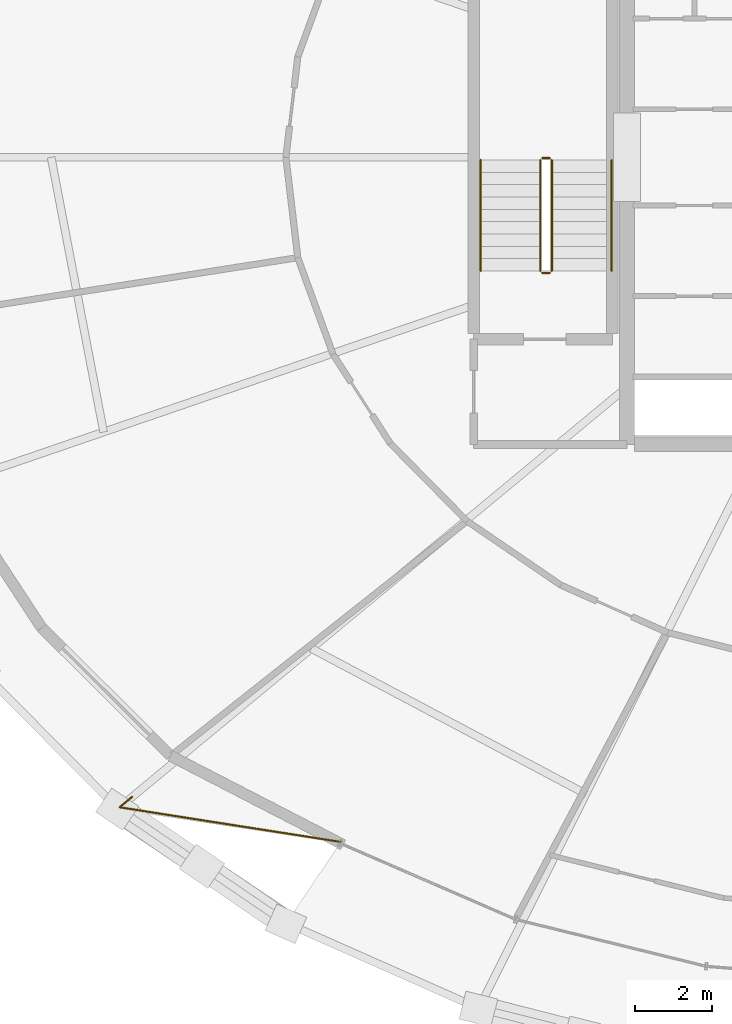
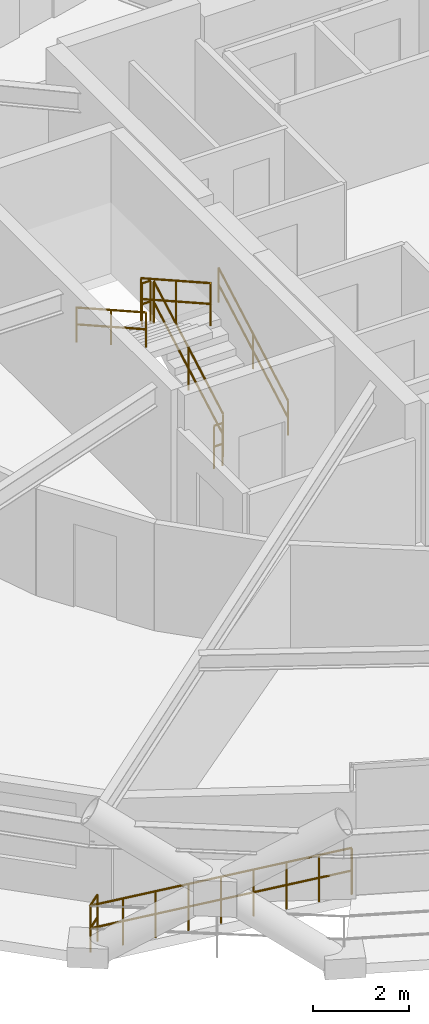
# One storey, part 21 of 23: 7 railings.
"""IFC4 building model written with IfcOpenShell, lengths in metres."""

import ifcopenshell
import ifcopenshell.guid

model = None  # the IFC model being written
_history = None  # IfcOwnerHistory: only IFC2X3 demands one
_inside = {}  # id of a spatial element -> (the spatial element, [elements in it])
_under = {}  # id of a project, library or spatial element -> (it, [spatial elements below it])
_declared = {}  # id of a project -> (the project, [libraries it declares])
_typed = {}  # id of a type object -> (the type object, [elements of that type])
_made_of = {}  # id of a material, layer set ... -> (it, [elements and type objects made of it])


def new_model(schema):
    """Start an empty IFC model of exactly this schema.

    Asked for "IFC4X3", IfcOpenShell would pick the latest addendum, in which some entities
    have other attributes; the version numbers below select the first issue.
    IFC2X3 requires an IfcOwnerHistory on every rooted entity: one is made here for all.
    """
    global model, _history
    if schema == "IFC4X3":
        model = ifcopenshell.file(schema_version=(4, 3, 0, 0))
    else:
        model = ifcopenshell.file(schema=schema)
    _inside.clear()
    _under.clear()
    _declared.clear()
    _typed.clear()
    _made_of.clear()
    _history = None
    if model.schema == "IFC2X3":
        org = make("IfcOrganization", Name="unknown")
        user = make(
            "IfcPersonAndOrganization",
            ThePerson=make("IfcPerson", FamilyName="unknown"),
            TheOrganization=org,
        )
        app = make(
            "IfcApplication",
            ApplicationDeveloper=org,
            Version="unknown",
            ApplicationFullName="unknown",
            ApplicationIdentifier="unknown",
        )
        _history = make(
            "IfcOwnerHistory",
            OwningUser=user,
            OwningApplication=app,
            ChangeAction="ADDED",
            CreationDate=0,
        )
    return model


def make(cls, **values):
    """One entity of the class cls with the attributes given. An attribute that is None is left unset."""
    return model.create_entity(
        cls, **{name: value for name, value in values.items() if value is not None}
    )


def rooted(cls, **values):
    """An entity with a GlobalId (a new one), such as an element, a storey or a relation."""
    return make(cls, GlobalId=ifcopenshell.guid.new(), OwnerHistory=_history, **values)


def si_unit(unit_type, name, prefix=None):
    """IfcSIUnit, for example si_unit("LENGTHUNIT", "METRE", prefix="MILLI")."""
    return make("IfcSIUnit", UnitType=unit_type, Prefix=prefix, Name=name)


def assignment(units):
    """IfcUnitAssignment: the units of a project."""
    return None if units is None else make("IfcUnitAssignment", Units=units)


def point(xyz):
    """IfcCartesianPoint."""
    return None if xyz is None else make("IfcCartesianPoint", Coordinates=xyz)


def direction(xyz):
    """IfcDirection."""
    return None if xyz is None else make("IfcDirection", DirectionRatios=xyz)


def frame(location, z_axis=None, x_axis=None):
    """IfcAxis2Placement3D, a coordinate frame: its origin and axes. An axis left out is left unset."""
    return make(
        "IfcAxis2Placement3D",
        Location=point(location),
        Axis=direction(z_axis),
        RefDirection=direction(x_axis),
    )


def frame_2d(location, x_axis=None):
    """IfcAxis2Placement2D, a coordinate frame in the plane: its origin and x axis."""
    return make(
        "IfcAxis2Placement2D", Location=point(location), RefDirection=direction(x_axis)
    )


def origin():
    """The frame at (0, 0, 0) with its axes left unset."""
    return frame((0.0, 0.0, 0.0))


def origin_2d():
    """The frame at (0, 0) in the plane with its x axis left unset."""
    return frame_2d((0.0, 0.0))


def place(relative_to, where):
    """IfcLocalPlacement: puts the frame where relative to a parent placement (None: the world)."""
    return make(
        "IfcLocalPlacement", PlacementRelTo=relative_to, RelativePlacement=where
    )


def context(
    kind, dimensions, precision=None, world=None, true_north=None, identifier=None
):
    """IfcGeometricRepresentationContext, for example the 3D "Model" context."""
    return make(
        "IfcGeometricRepresentationContext",
        ContextIdentifier=identifier,
        ContextType=kind,
        CoordinateSpaceDimension=dimensions,
        Precision=precision,
        WorldCoordinateSystem=world,
        TrueNorth=true_north,
    )


def subcontext(parent, identifier, kind, view, scale=None):
    """IfcGeometricRepresentationSubContext, for example "Body" below "Model"."""
    return make(
        "IfcGeometricRepresentationSubContext",
        ContextIdentifier=identifier,
        ContextType=kind,
        ParentContext=parent,
        TargetScale=scale,
        TargetView=view,
    )


def project(units=None, contexts=None):
    """IfcProject with its units and contexts."""
    return rooted(
        "IfcProject",
        Name="project",
        RepresentationContexts=contexts,
        UnitsInContext=assignment(units),
    )


def spatial(cls, under=None, at=None, **own):
    """A site, building, storey or space (cls), placed at a placement, below another one or the project."""
    s = rooted(cls, ObjectPlacement=at, **own)
    if under is not None:
        _under.setdefault(under.id(), (under, []))[1].append(s)
    return s


def profile(cls, at=None, kind="AREA", **sizes):
    """A parametric profile (cls). Its sizes go by their IFC names, for example OverallWidth=200.0."""
    return make(cls, ProfileType=kind, Position=at, **sizes)


def circle(**sizes):
    """IfcCircleProfileDef."""
    return profile("IfcCircleProfileDef", **sizes)


def extrude(swept, where, along, depth):
    """IfcExtrudedAreaSolid: the profile swept, set in the frame where, extruded along a direction by depth."""
    return make(
        "IfcExtrudedAreaSolid",
        SweptArea=swept,
        Position=where,
        ExtrudedDirection=direction(along),
        Depth=depth,
    )


def shape(context_of_items, identifier, shape_type, items):
    """IfcShapeRepresentation: the items that make up one representation, for example the "Body"."""
    return make(
        "IfcShapeRepresentation",
        ContextOfItems=context_of_items,
        RepresentationIdentifier=identifier,
        RepresentationType=shape_type,
        Items=items,
    )


def material(Name=None, Category=None):
    """IfcMaterial."""
    return make("IfcMaterial", Name=Name, Category=Category)


def made_of(thing, what):
    """Note that an element or type object is made of a material, layer set ...; save() writes the relation."""
    if what is not None:
        _made_of.setdefault(what.id(), (what, []))[1].append(thing)
    return thing


def type_object(cls, material=None, **own):
    """A type object (cls), such as IfcWallType, which elements share."""
    return made_of(rooted(cls, **own), material)


def element(
    cls,
    number,
    at=None,
    inside=None,
    cuts=None,
    type_object=None,
    material=None,
    context=None,
    identifier="Body",
    shape_type=None,
    held_by="IfcProductDefinitionShape",
    body=None,
    shapes=None,
    **own,
):
    """One element of the class cls, such as IfcWall. Its Tag is "e" and its number.

    at: its placement. inside: the storey or other place that contains it. cuts: it is an
    opening in that element (IfcRelVoidsElement). A single representation is given by context,
    identifier, shape_type and body (its items); several are given by shapes. held_by: the class
    of the entity that holds the representations. save() writes the other relations.
    """
    e = rooted(cls, Tag="e%d" % number, ObjectPlacement=at, **own)
    if body is not None:
        shapes = [shape(context, identifier, shape_type, body)]
    if shapes is not None:
        e.Representation = make(held_by, Representations=shapes)
    if inside is not None:
        _inside.setdefault(inside.id(), (inside, []))[1].append(e)
    if cuts is not None:
        rooted(
            "IfcRelVoidsElement", RelatingBuildingElement=cuts, RelatedOpeningElement=e
        )
    if type_object is not None:
        _typed.setdefault(type_object.id(), (type_object, []))[1].append(e)
    return made_of(e, material)


def aggregate(whole, parts):
    """IfcRelAggregates: a whole, such as a stair, and the parts it consists of."""
    return rooted("IfcRelAggregates", RelatingObject=whole, RelatedObjects=parts)


def save(model, path):
    """Write the relations noted so far, then the file.

    IfcRelAggregates (storeys below a building ...), IfcRelContainedInSpatialStructure (elements
    in a storey), IfcRelDefinesByType, IfcRelAssociatesMaterial and IfcRelDeclares: one each for
    every whole, place, type object, material and project.
    """
    for whole, parts in _under.values():
        aggregate(whole, parts)
    for where, things in _inside.values():
        rooted(
            "IfcRelContainedInSpatialStructure",
            RelatedElements=things,
            RelatingStructure=where,
        )
    for kind, things in _typed.values():
        rooted("IfcRelDefinesByType", RelatedObjects=things, RelatingType=kind)
    for what, things in _made_of.values():
        rooted("IfcRelAssociatesMaterial", RelatedObjects=things, RelatingMaterial=what)
    for by, libraries in _declared.values():
        rooted("IfcRelDeclares", RelatingContext=by, RelatedDefinitions=libraries)
    model.write(path)


model = new_model("IFC4")

# Units and contexts
model_context = context("Model", 3, precision=1e-05, world=origin(), true_north=direction((0.0, 1.0)))
body_context = subcontext(model_context, "Body", "Model", "MODEL_VIEW")
ifc_project = project(units=[si_unit("LENGTHUNIT", "METRE"), si_unit("AREAUNIT", "SQUARE_METRE"), si_unit("VOLUMEUNIT", "CUBIC_METRE"), si_unit("PLANEANGLEUNIT", "RADIAN"), si_unit("MASSUNIT", "GRAM", prefix="KILO")], contexts=[model_context])

# Site, building, storey
site_placement = place(None, origin())
site = spatial("IfcSite", under=ifc_project, at=site_placement, CompositionType="ELEMENT")
building_placement = place(site_placement, origin())
building = spatial("IfcBuilding", under=site, at=building_placement, Name="Veldorina Hangang Commons", CompositionType="ELEMENT")
storey_placement = place(building_placement, frame((0.0, 0.0, 95.199951171875)))
storey = spatial("IfcBuildingStorey", under=building, at=storey_placement, Name="L24", CompositionType="ELEMENT", Elevation=95.199951171875)

# Railings
ifc_material_1 = material(Name="Glass Laminated Safety Balustrade", Category="glass")
railing_type_1 = type_object("IfcRailingType", Name="RL-BAL-LOGGIA", PredefinedType="BALUSTRADE", material=ifc_material_1)
railing_1_placement = place(storey_placement, frame((11.95751953125, 7.4033203125, 0.0)))
element("IfcRailing", 1, at=railing_1_placement, inside=storey, type_object=railing_type_1, Name="L24 sky-garden loggia end balustrade A", PredefinedType="BALUSTRADE", context=body_context, shape_type="SweptSolid", body=[
    extrude(circle(Radius=0.02392578125, at=origin_2d()), frame((0.0, 0.0, 1.17578125), z_axis=(-0.770217205669, -0.637781668043, 0.0), x_axis=(0.637781668043, -0.770217205669, 0.0)), (0.0, 0.0, 1.0), 0.42041015625),
    extrude(circle(Radius=0.02392578125, at=origin_2d()), frame((0.0, 0.0, 0.60009765625), z_axis=(-0.770217205669, -0.637781668043, 0.0), x_axis=(0.637781668043, -0.770217205669, 0.0)), (0.0, 0.0, 1.0), 0.42041015625),
    extrude(circle(Radius=0.02392578125, at=origin_2d()), frame((-0.32373046875, -0.26806640625, 1.17578125), z_axis=(0.987945867635, -0.154799750074, 0.0), x_axis=(0.154799750074, 0.987945867635, 0.0)), (0.0, 0.0, 1.0), 5.811767578125),
    extrude(circle(Radius=0.02392578125, at=origin_2d()), frame((-0.32373046875, -0.26806640625, 0.60009765625), z_axis=(0.987945867635, -0.154799750074, 0.0), x_axis=(0.154799750074, 0.987945867635, 0.0)), (0.0, 0.0, 1.0), 5.811767578125),
    extrude(circle(Radius=0.02099609375, at=origin_2d()), origin(), (0.0, 0.0, 1.0), 1.15185546875),
    extrude(circle(Radius=0.02099609375, at=origin_2d()), frame((-0.32373046875, -0.26806640625, 0.0)), (0.0, 0.0, 1.0), 1.15185546875),
    extrude(circle(Radius=0.02099609375, at=origin_2d()), frame((0.39404296875, -0.380615234375, 0.0)), (0.0, 0.0, 1.0), 1.15185546875),
    extrude(circle(Radius=0.02099609375, at=origin_2d()), frame((1.11181640625, -0.492919921875, 0.0)), (0.0, 0.0, 1.0), 1.15185546875),
    extrude(circle(Radius=0.02099609375, at=origin_2d()), frame((1.829345703125, -0.60546875, 0.0)), (0.0, 0.0, 1.0), 1.15185546875),
    extrude(circle(Radius=0.02099609375, at=origin_2d()), frame((2.547119140625, -0.7177734375, 0.0)), (0.0, 0.0, 1.0), 1.15185546875),
    extrude(circle(Radius=0.02099609375, at=origin_2d()), frame((3.264892578125, -0.830322265625, 0.0)), (0.0, 0.0, 1.0), 1.15185546875),
    extrude(circle(Radius=0.02099609375, at=origin_2d()), frame((3.982421875, -0.94287109375, 0.0)), (0.0, 0.0, 1.0), 1.15185546875),
    extrude(circle(Radius=0.02099609375, at=origin_2d()), frame((4.7001953125, -1.05517578125, 0.0)), (0.0, 0.0, 1.0), 1.15185546875),
    extrude(circle(Radius=0.02099609375, at=origin_2d()), frame((5.41796875, -1.167724609375, 0.0)), (0.0, 0.0, 1.0), 1.15185546875),
])
ifc_material_2 = material(Name="Steel Painted Balustrade", Category="steel")
railing_type_2 = type_object("IfcRailingType", Name="RL-GRD-STAIR", PredefinedType="GUARDRAIL", material=ifc_material_2)
railing_2_placement = place(storey_placement, frame((22.85009765625, 21.050048828125, 0.179931640625)))
element("IfcRailing", 2, at=railing_2_placement, inside=storey, type_object=railing_type_2, Name="L24 ST-1 stair guard 1", PredefinedType="GUARDRAIL", context=body_context, shape_type="SweptSolid", body=[
    extrude(circle(Radius=0.02392578125, at=origin_2d()), frame((0.0, 0.0, 1.076171875), z_axis=(0.0, 0.87155185771, 0.490303333991), x_axis=(-1.0, 0.0, 0.0)), (0.0, 0.0, 1.0), 3.30419921875),
    extrude(circle(Radius=0.02392578125, at=origin_2d()), frame((0.0, 0.0, 0.550048828125), z_axis=(0.0, 0.87155185771, 0.490303333991), x_axis=(-1.0, 0.0, 0.0)), (0.0, 0.0, 1.0), 3.30419921875),
    extrude(circle(Radius=0.02099609375, at=origin_2d()), origin(), (0.0, 0.0, 1.0), 1.052001953125),
    extrude(circle(Radius=0.02099609375, at=origin_2d()), frame((0.0, 1.43994140625, 0.81005859375)), (0.0, 0.0, 1.0), 1.052001953125),
    extrude(circle(Radius=0.02099609375, at=origin_2d()), frame((0.0, 2.8798828125, 1.6201171875)), (0.0, 0.0, 1.0), 1.052001953125),
])
railing_3_placement = place(storey_placement, frame((22.800048828125, 23.97998046875, 1.800048828125)))
element("IfcRailing", 3, at=railing_3_placement, inside=storey, type_object=railing_type_2, Name="L24 ST-1 stair guard 2", PredefinedType="GUARDRAIL", context=body_context, shape_type="SweptSolid", body=[
    extrude(circle(Radius=0.02392578125, at=origin_2d()), frame((0.0, 0.0, 1.076171875), z_axis=(-1.0, 0.0, 0.0), x_axis=(0.0, -1.0, 0.0)), (0.0, 0.0, 1.0), 0.199951171875),
    extrude(circle(Radius=0.02392578125, at=origin_2d()), frame((0.0, 0.0, 0.550048828125), z_axis=(-1.0, 0.0, 0.0), x_axis=(0.0, -1.0, 0.0)), (0.0, 0.0, 1.0), 0.199951171875),
    extrude(circle(Radius=0.02099609375, at=origin_2d()), origin(), (0.0, 0.0, 1.0), 1.052001953125),
    extrude(circle(Radius=0.02099609375, at=origin_2d()), frame((-0.199951171875, 0.0, 0.0)), (0.0, 0.0, 1.0), 1.052001953125),
])
railing_4_placement = place(storey_placement, frame((22.550048828125, 23.929931640625, 1.97998046875)))
element("IfcRailing", 4, at=railing_4_placement, inside=storey, type_object=railing_type_2, Name="L24 ST-1 stair guard 3", PredefinedType="GUARDRAIL", context=body_context, shape_type="SweptSolid", body=[
    extrude(circle(Radius=0.02392578125, at=origin_2d()), frame((0.0, 0.0, 1.076171875), z_axis=(0.0, -0.87155185771, 0.490303333991), x_axis=(1.0, 0.0, 0.0)), (0.0, 0.0, 1.0), 3.30419921875),
    extrude(circle(Radius=0.02392578125, at=origin_2d()), frame((0.0, 0.0, 0.550048828125), z_axis=(0.0, -0.87155185771, 0.490303333991), x_axis=(1.0, 0.0, 0.0)), (0.0, 0.0, 1.0), 3.30419921875),
    extrude(circle(Radius=0.02099609375, at=origin_2d()), origin(), (0.0, 0.0, 1.0), 1.052001953125),
    extrude(circle(Radius=0.02099609375, at=origin_2d()), frame((0.0, -1.43994140625, 0.81005859375)), (0.0, 0.0, 1.0), 1.052001953125),
    extrude(circle(Radius=0.02099609375, at=origin_2d()), frame((0.0, -2.8798828125, 1.6201171875)), (0.0, 0.0, 1.0), 1.052001953125),
])
railing_5_placement = place(storey_placement, frame((22.800048828125, 21.0, 0.0)))
element("IfcRailing", 5, at=railing_5_placement, inside=storey, type_object=railing_type_2, Name="L24 ST-1 stair guard 4", PredefinedType="GUARDRAIL", context=body_context, shape_type="SweptSolid", body=[
    extrude(circle(Radius=0.02392578125, at=origin_2d()), frame((0.0, 0.0, 1.076171875), z_axis=(-1.0, 0.0, 0.0), x_axis=(0.0, -1.0, 0.0)), (0.0, 0.0, 1.0), 0.199951171875),
    extrude(circle(Radius=0.02392578125, at=origin_2d()), frame((0.0, 0.0, 0.550048828125), z_axis=(-1.0, 0.0, 0.0), x_axis=(0.0, -1.0, 0.0)), (0.0, 0.0, 1.0), 0.199951171875),
    extrude(circle(Radius=0.02099609375, at=origin_2d()), origin(), (0.0, 0.0, 1.0), 1.052001953125),
    extrude(circle(Radius=0.02099609375, at=origin_2d()), frame((-0.199951171875, 0.0, 0.0)), (0.0, 0.0, 1.0), 1.052001953125),
])
ifc_material_3 = material(Name="Stainless Steel Brushed 316", Category="steel")
railing_type_3 = type_object("IfcRailingType", Name="RL-HND-STAIR", PredefinedType="HANDRAIL", material=ifc_material_3)
railing_6_placement = place(storey_placement, frame((24.39990234375, 21.050048828125, 0.179931640625)))
element("IfcRailing", 6, at=railing_6_placement, inside=storey, type_object=railing_type_3, Name="L24 ST-1 stair handrail 1", PredefinedType="HANDRAIL", context=body_context, shape_type="SweptSolid", body=[
    extrude(circle(Radius=0.02392578125, at=origin_2d()), frame((0.0, 0.0, 0.8759765625), z_axis=(0.0, 0.87155185771, 0.490303333991), x_axis=(-1.0, 0.0, 0.0)), (0.0, 0.0, 1.0), 3.30419921875),
    extrude(circle(Radius=0.02392578125, at=origin_2d()), frame((0.0, 0.0, 0.449951171875), z_axis=(0.0, 0.87155185771, 0.490303333991), x_axis=(-1.0, 0.0, 0.0)), (0.0, 0.0, 1.0), 3.30419921875),
    extrude(circle(Radius=0.02099609375, at=origin_2d()), origin(), (0.0, 0.0, 1.0), 0.851806640625),
    extrude(circle(Radius=0.02099609375, at=origin_2d()), frame((0.0, 1.43994140625, 0.81005859375)), (0.0, 0.0, 1.0), 0.851806640625),
    extrude(circle(Radius=0.02099609375, at=origin_2d()), frame((0.0, 2.8798828125, 1.6201171875)), (0.0, 0.0, 1.0), 0.851806640625),
])
railing_7_placement = place(storey_placement, frame((21.0, 23.929931640625, 1.97998046875)))
element("IfcRailing", 7, at=railing_7_placement, inside=storey, type_object=railing_type_3, Name="L24 ST-1 stair handrail 2", PredefinedType="HANDRAIL", context=body_context, shape_type="SweptSolid", body=[
    extrude(circle(Radius=0.02392578125, at=origin_2d()), frame((0.0, 0.0, 0.8759765625), z_axis=(0.0, -0.87155185771, 0.490303333991), x_axis=(1.0, 0.0, 0.0)), (0.0, 0.0, 1.0), 3.30419921875),
    extrude(circle(Radius=0.02392578125, at=origin_2d()), frame((0.0, 0.0, 0.449951171875), z_axis=(0.0, -0.87155185771, 0.490303333991), x_axis=(1.0, 0.0, 0.0)), (0.0, 0.0, 1.0), 3.30419921875),
    extrude(circle(Radius=0.02099609375, at=origin_2d()), origin(), (0.0, 0.0, 1.0), 0.851806640625),
    extrude(circle(Radius=0.02099609375, at=origin_2d()), frame((0.0, -1.43994140625, 0.81005859375)), (0.0, 0.0, 1.0), 0.851806640625),
    extrude(circle(Radius=0.02099609375, at=origin_2d()), frame((0.0, -2.8798828125, 1.6201171875)), (0.0, 0.0, 1.0), 0.851806640625),
])

save(model, "model.ifc")
